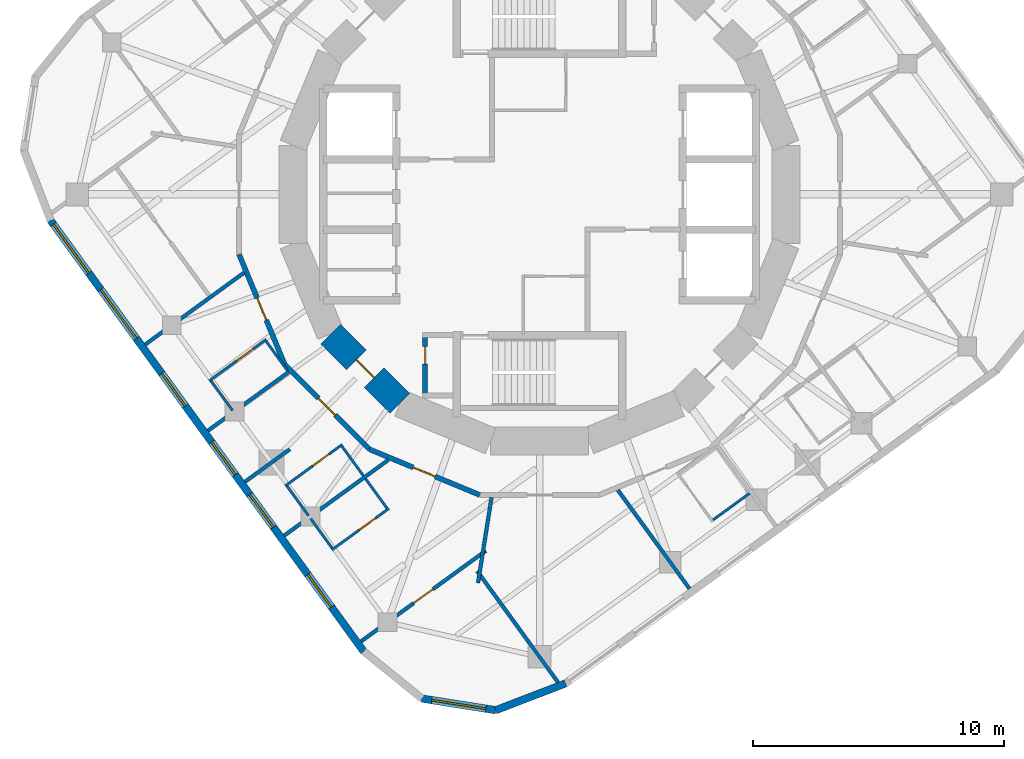
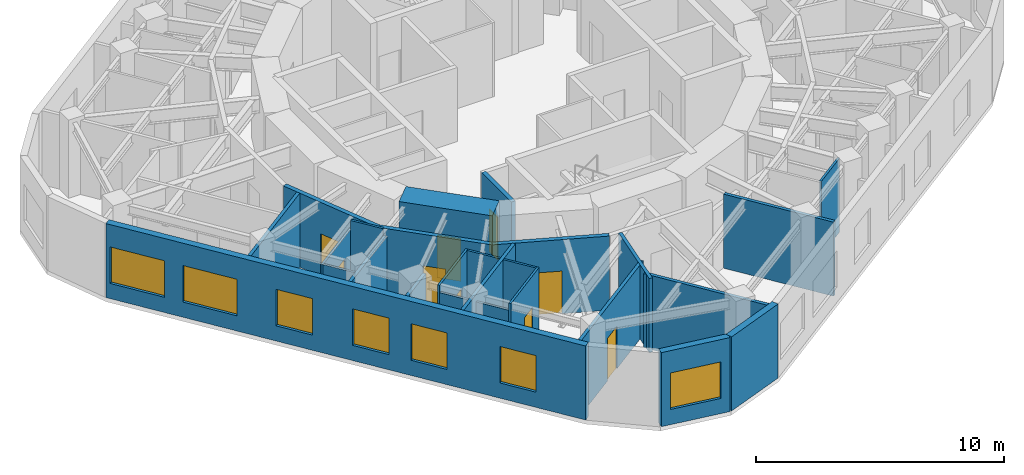
# One storey, part 3 of 9: 26 walls, 9 doors, 7 windows, 16 openings.
"""IFC4 building model written with IfcOpenShell, lengths in metres."""

from ifc_helpers import new_model, si_unit, direction, frame, frame_2d, origin, place, context, subcontext, project, spatial, rectangle, extrude, material, layer, layer_set, type_object, element, fill, save


model = new_model("IFC4")

# Units and contexts
model_context = context("Model", 3, precision=1e-05, world=origin(), true_north=direction((0.0, 1.0)))
body_context = subcontext(model_context, "Body", "Model", "MODEL_VIEW")
ifc_project = project(units=[si_unit("LENGTHUNIT", "METRE"), si_unit("AREAUNIT", "SQUARE_METRE"), si_unit("VOLUMEUNIT", "CUBIC_METRE"), si_unit("PLANEANGLEUNIT", "RADIAN"), si_unit("MASSUNIT", "GRAM", prefix="KILO")], contexts=[model_context])

# Site, building, storey
site_placement = place(None, origin())
site = spatial("IfcSite", under=ifc_project, at=site_placement, CompositionType="ELEMENT")
building_placement = place(site_placement, origin())
building = spatial("IfcBuilding", under=site, at=building_placement, Name="Nakasero Lantern House", CompositionType="ELEMENT")
storey_placement = place(building_placement, frame((0.0, 0.0, 286.85009765625)))
storey = spatial("IfcBuildingStorey", under=building, at=storey_placement, Name="L70", CompositionType="ELEMENT", Elevation=286.85009765625)

# Wall, opening, door
ifc_material_1 = material(Name="Concrete C50/60", Category="concrete")
ifc_layer_1 = layer(ifc_material_1, 1.10009765625)
ifc_layer_set_1 = layer_set([ifc_layer_1], Name="Core wall 1100")
wall_type_1 = type_object("IfcWallType", Name="Core wall 1100", PredefinedType="SHEAR", material=ifc_layer_set_1)
wall_1_placement = place(storey_placement, frame((-8.314697265625, -5.5556640625, 0.0), z_axis=(0.0, 0.0, 1.0), x_axis=(0.707106781187, -0.707106781187, 0.0)))
wall_1 = element("IfcWall", 1, at=wall_1_placement, inside=storey, type_object=wall_type_1, Name="Core wall L70 facet 10", PredefinedType="SHEAR", context=body_context, shape_type="SweptSolid", body=[
    extrude(rectangle(XDim=3.90185546875, YDim=1.10009765625, at=frame_2d((1.950927734375, 0.0))), origin(), (0.0, 0.0, 1.0), 3.849853515625),
])
opening_1_placement = place(wall_1_placement, frame((1.450927734375, 0.0, 0.0)))
opening_1 = element("IfcOpeningElement", 2, at=opening_1_placement, cuts=wall_1, Name="Opening D05", PredefinedType="OPENING", context=body_context, shape_type="SweptSolid", body=[
    extrude(rectangle(XDim=1.0, YDim=2.10009765625, at=frame_2d((0.5, 1.050048828125))), frame((0.0, 0.570068359375, 0.0), z_axis=(0.0, -1.0, 0.0), x_axis=(1.0, 0.0, 0.0)), (0.0, 0.0, 1.0), 1.14013671875),
])
ifc_material_2 = material(Name="Timber C24", Category="wood")
door_type_1 = type_object("IfcDoorType", Name="Core door FD60S 1000", OperationType="SINGLE_SWING_LEFT", PredefinedType="DOOR", material=ifc_material_2)
door_1_placement = place(opening_1_placement, origin())
door_1 = element("IfcDoor", 3, at=door_1_placement, inside=storey, type_object=door_type_1, Name="Door L70 D-CORE10", OperationType="SINGLE_SWING_LEFT", OverallHeight=2.10009765625, OverallWidth=1.0, PredefinedType="DOOR", context=body_context, shape_type="SweptSolid", body=[
    extrude(rectangle(XDim=1.0, YDim=2.10009765625, at=frame_2d((0.5, 1.050048828125))), frame((0.0, 0.02490234375, 0.0), z_axis=(0.0, -1.0, 0.0), x_axis=(1.0, 0.0, 0.0)), (0.0, 0.0, 1.0), 0.050048828125),
])
fill(opening_1, door_1)

ifc_material_3 = material(Name="Blockwork", Category="masonry")
ifc_layer_2 = layer(ifc_material_3, 0.199951171875)
ifc_layer_set_2 = layer_set([ifc_layer_2], Name="Corridor wall 200")
wall_type_2 = type_object("IfcWallType", Name="Corridor wall 200", PredefinedType="PARTITIONING", material=ifc_layer_set_2)
wall_2_placement = place(storey_placement, frame((-2.378662109375, -11.957763671875, 0.0), z_axis=(0.0, 0.0, 1.0), x_axis=(-0.923891735412, 0.382653970627, 0.0)))
wall_2 = element("IfcWall", 4, at=wall_2_placement, inside=storey, type_object=wall_type_2, Name="Corridor wall L70 RC05a", PredefinedType="PARTITIONING", context=body_context, shape_type="SweptSolid", body=[
    extrude(rectangle(XDim=4.757080078125, YDim=0.199951171875, at=frame_2d((2.37841796875, 0.0))), origin(), (0.0, 0.0, 1.0), 3.64990234375),
])
opening_2_placement = place(wall_2_placement, frame((1.919921875, 0.0, 0.0)))
opening_2 = element("IfcOpeningElement", 5, at=opening_2_placement, cuts=wall_2, Name="Opening D01", PredefinedType="OPENING", context=body_context, shape_type="SweptSolid", body=[
    extrude(rectangle(XDim=0.949951171875, YDim=2.10009765625, at=frame_2d((0.47509765625, 1.050048828125))), frame((0.0, 0.119873046875, 0.0), z_axis=(0.0, -1.0, 0.0), x_axis=(1.0, 0.0, 0.0)), (0.0, 0.0, 1.0), 0.239990234375),
])
ifc_material_4 = material(Name="Timber C24", Category="wood")
door_type_2 = type_object("IfcDoorType", Name="Bedroom door FD30S 950", OperationType="SINGLE_SWING_LEFT", PredefinedType="DOOR", material=ifc_material_4)
door_2_placement = place(opening_2_placement, origin())
door_2 = element("IfcDoor", 6, at=door_2_placement, inside=storey, type_object=door_type_2, Name="Door L70 D2-06", OperationType="SINGLE_SWING_RIGHT", OverallHeight=2.10009765625, OverallWidth=0.949951171875, PredefinedType="DOOR", context=body_context, shape_type="SweptSolid", body=[
    extrude(rectangle(XDim=0.949951171875, YDim=2.10009765625, at=frame_2d((0.47509765625, 1.050048828125))), frame((0.0, 0.02490234375, 0.0), z_axis=(0.0, -1.0, 0.0), x_axis=(1.0, 0.0, 0.0)), (0.0, 0.0, 1.0), 0.050048828125),
])
fill(opening_2, door_2)

wall_3_placement = place(storey_placement, frame((-6.773681640625, -10.137451171875, 0.0), z_axis=(0.0, 0.0, 1.0), x_axis=(-0.707106781187, 0.707106781187, 0.0)))
wall_3 = element("IfcWall", 7, at=wall_3_placement, inside=storey, type_object=wall_type_2, Name="Corridor wall L70 RC06a", PredefinedType="PARTITIONING", context=body_context, shape_type="SweptSolid", body=[
    extrude(rectangle(XDim=4.757080078125, YDim=0.199951171875, at=frame_2d((2.37841796875, 0.0))), origin(), (0.0, 0.0, 1.0), 3.64990234375),
])
opening_3_placement = place(wall_3_placement, frame((1.919921875, 0.0, 0.0)))
opening_3 = element("IfcOpeningElement", 8, at=opening_3_placement, cuts=wall_3, Name="Opening D01", PredefinedType="OPENING", context=body_context, shape_type="SweptSolid", body=[
    extrude(rectangle(XDim=0.949951171875, YDim=2.10009765625, at=frame_2d((0.47509765625, 1.050048828125))), frame((0.0, 0.119873046875, 0.0), z_axis=(0.0, -1.0, 0.0), x_axis=(1.0, 0.0, 0.0)), (0.0, 0.0, 1.0), 0.239990234375),
])
door_3_placement = place(opening_3_placement, origin())
door_3 = element("IfcDoor", 9, at=door_3_placement, inside=storey, type_object=door_type_2, Name="Door L70 D2-04", OperationType="SINGLE_SWING_RIGHT", OverallHeight=2.10009765625, OverallWidth=0.949951171875, PredefinedType="DOOR", context=body_context, shape_type="SweptSolid", body=[
    extrude(rectangle(XDim=0.949951171875, YDim=2.10009765625, at=frame_2d((0.47509765625, 1.050048828125))), frame((0.0, 0.02490234375, 0.0), z_axis=(0.0, -1.0, 0.0), x_axis=(1.0, 0.0, 0.0)), (0.0, 0.0, 1.0), 0.050048828125),
])
fill(opening_3, door_3)

wall_4_placement = place(storey_placement, frame((-10.137451171875, -6.773681640625, 0.0), z_axis=(0.0, 0.0, 1.0), x_axis=(-0.382653970627, 0.923891735412, 0.0)))
wall_4 = element("IfcWall", 10, at=wall_4_placement, inside=storey, type_object=wall_type_2, Name="Corridor wall L70 RC07a", PredefinedType="PARTITIONING", context=body_context, shape_type="SweptSolid", body=[
    extrude(rectangle(XDim=4.757080078125, YDim=0.199951171875, at=frame_2d((2.37841796875, 0.0))), origin(), (0.0, 0.0, 1.0), 3.64990234375),
])
opening_4_placement = place(wall_4_placement, frame((1.919921875, 0.0, 0.0)))
opening_4 = element("IfcOpeningElement", 11, at=opening_4_placement, cuts=wall_4, Name="Opening D01", PredefinedType="OPENING", context=body_context, shape_type="SweptSolid", body=[
    extrude(rectangle(XDim=0.949951171875, YDim=2.10009765625, at=frame_2d((0.47509765625, 1.050048828125))), frame((0.0, 0.119873046875, 0.0), z_axis=(0.0, -1.0, 0.0), x_axis=(1.0, 0.0, 0.0)), (0.0, 0.0, 1.0), 0.239990234375),
])
door_4_placement = place(opening_4_placement, origin())
door_4 = element("IfcDoor", 12, at=door_4_placement, inside=storey, type_object=door_type_2, Name="Door L70 D2-03", OperationType="SINGLE_SWING_RIGHT", OverallHeight=2.10009765625, OverallWidth=0.949951171875, PredefinedType="DOOR", context=body_context, shape_type="SweptSolid", body=[
    extrude(rectangle(XDim=0.949951171875, YDim=2.10009765625, at=frame_2d((0.47509765625, 1.050048828125))), frame((0.0, 0.02490234375, 0.0), z_axis=(0.0, -1.0, 0.0), x_axis=(1.0, 0.0, 0.0)), (0.0, 0.0, 1.0), 0.050048828125),
])
fill(opening_4, door_4)

ifc_material_5 = material(Name="Blockwork", Category="masonry")
ifc_layer_3 = layer(ifc_material_5, 0.10009765625)
ifc_layer_set_3 = layer_set([ifc_layer_3], Name="En-suite wall 100")
wall_type_3 = type_object("IfcWallType", Name="En-suite wall 100", PredefinedType="PARTITIONING", material=ifc_layer_set_3)
wall_5_placement = place(storey_placement, frame((-10.872314453125, -5.76513671875, 0.0), z_axis=(0.0, 0.0, 1.0), x_axis=(-0.809041377956, -0.587751689708, 0.0)))
wall_5 = element("IfcWall", 13, at=wall_5_placement, inside=storey, type_object=wall_type_3, Name="En-suite wall L70 ES2-03", PredefinedType="PARTITIONING", context=body_context, shape_type="SweptSolid", body=[
    extrude(rectangle(XDim=2.800048828125, YDim=0.10009765625, at=frame_2d((1.39990234375, 0.0))), origin(), (0.0, 0.0, 1.0), 3.18994140625),
])
opening_5_placement = place(wall_5_placement, frame((0.64990234375, 0.0, 0.0)))
opening_5 = element("IfcOpeningElement", 14, at=opening_5_placement, cuts=wall_5, Name="Opening D02", PredefinedType="OPENING", context=body_context, shape_type="SweptSolid", body=[
    extrude(rectangle(XDim=0.800048828125, YDim=2.10009765625, at=frame_2d((0.39990234375, 1.050048828125))), frame((0.0, 0.070068359375, 0.0), z_axis=(0.0, -1.0, 0.0), x_axis=(1.0, 0.0, 0.0)), (0.0, 0.0, 1.0), 0.14013671875),
])
ifc_material_6 = material(Name="Timber C24", Category="wood")
door_type_3 = type_object("IfcDoorType", Name="En-suite door 800", OperationType="SINGLE_SWING_RIGHT", PredefinedType="DOOR", material=ifc_material_6)
door_5_placement = place(opening_5_placement, origin())
door_5 = element("IfcDoor", 15, at=door_5_placement, inside=storey, type_object=door_type_3, Name="Door L70 DE2-03", OperationType="SINGLE_SWING_LEFT", OverallHeight=2.10009765625, OverallWidth=0.800048828125, PredefinedType="DOOR", context=body_context, shape_type="SweptSolid", body=[
    extrude(rectangle(XDim=0.800048828125, YDim=2.10009765625, at=frame_2d((0.39990234375, 1.050048828125))), frame((0.0, 0.02490234375, 0.0), z_axis=(0.0, -1.0, 0.0), x_axis=(1.0, 0.0, 0.0)), (0.0, 0.0, 1.0), 0.050048828125),
])
fill(opening_5, door_5)

# Walls
wall_6_placement = place(storey_placement, frame((-13.06787109375, -7.421875, 0.0), z_axis=(0.0, 0.0, 1.0), x_axis=(0.587781191743, -0.809019944521, 0.0)))
element("IfcWall", 16, at=wall_6_placement, inside=storey, type_object=wall_type_3, Name="En-suite wall L70 EE2-03", PredefinedType="PARTITIONING", context=body_context, shape_type="SweptSolid", body=[
    extrude(rectangle(XDim=1.449951171875, YDim=0.10009765625, at=frame_2d((0.72509765625, 0.0))), origin(), (0.0, 0.0, 1.0), 3.196533203125),
])
wall_7_placement = place(storey_placement, frame((-10.883544921875, -5.8349609375, 0.0), z_axis=(0.0, 0.0, 1.0), x_axis=(0.587781191743, -0.809019944521, 0.0)))
element("IfcWall", 17, at=wall_7_placement, inside=storey, type_object=wall_type_3, Name="En-suite wall L70 EI2-03", PredefinedType="PARTITIONING", context=body_context, shape_type="SweptSolid", body=[
    extrude(rectangle(XDim=1.449951171875, YDim=0.10009765625, at=frame_2d((0.72509765625, 0.0))), origin(), (0.0, 0.0, 1.0), 3.64990234375),
])

# Wall, opening, door
wall_8_placement = place(storey_placement, frame((-7.851318359375, -9.949462890625, 0.0), z_axis=(0.0, 0.0, 1.0), x_axis=(-0.809011254605, -0.587793152327, 0.0)))
wall_8 = element("IfcWall", 18, at=wall_8_placement, inside=storey, type_object=wall_type_3, Name="En-suite wall L70 ES2-04", PredefinedType="PARTITIONING", context=body_context, shape_type="SweptSolid", body=[
    extrude(rectangle(XDim=2.7998046875, YDim=0.10009765625, at=frame_2d((1.39990234375, 0.0))), origin(), (0.0, 0.0, 1.0), 3.64990234375),
])
opening_6_placement = place(wall_8_placement, frame((0.64990234375, 0.0, 0.0)))
opening_6 = element("IfcOpeningElement", 19, at=opening_6_placement, cuts=wall_8, Name="Opening D02", PredefinedType="OPENING", context=body_context, shape_type="SweptSolid", body=[
    extrude(rectangle(XDim=0.800048828125, YDim=2.10009765625, at=frame_2d((0.39990234375, 1.050048828125))), frame((0.0, 0.070068359375, 0.0), z_axis=(0.0, -1.0, 0.0), x_axis=(1.0, 0.0, 0.0)), (0.0, 0.0, 1.0), 0.14013671875),
])
door_6_placement = place(opening_6_placement, origin())
door_6 = element("IfcDoor", 20, at=door_6_placement, inside=storey, type_object=door_type_3, Name="Door L70 DE2-04", OperationType="SINGLE_SWING_LEFT", OverallHeight=2.10009765625, OverallWidth=0.800048828125, PredefinedType="DOOR", context=body_context, shape_type="SweptSolid", body=[
    extrude(rectangle(XDim=0.800048828125, YDim=2.10009765625, at=frame_2d((0.39990234375, 1.050048828125))), frame((0.0, 0.02490234375, 0.0), z_axis=(0.0, -1.0, 0.0), x_axis=(1.0, 0.0, 0.0)), (0.0, 0.0, 1.0), 0.050048828125),
])
fill(opening_6, door_6)

# Walls
wall_9_placement = place(storey_placement, frame((-10.046630859375, -11.6064453125, 0.0), z_axis=(0.0, 0.0, 1.0), x_axis=(0.587781191743, -0.809019944521, 0.0)))
element("IfcWall", 21, at=wall_9_placement, inside=storey, type_object=wall_type_3, Name="En-suite wall L70 EE2-04", PredefinedType="PARTITIONING", context=body_context, shape_type="SweptSolid", body=[
    extrude(rectangle(XDim=1.449951171875, YDim=0.10009765625, at=frame_2d((0.72509765625, 0.0))), origin(), (0.0, 0.0, 1.0), 3.294921875),
])
wall_10_placement = place(storey_placement, frame((-7.8623046875, -10.019287109375, 0.0), z_axis=(0.0, 0.0, 1.0), x_axis=(0.587781191743, -0.809019944521, 0.0)))
element("IfcWall", 22, at=wall_10_placement, inside=storey, type_object=wall_type_3, Name="En-suite wall L70 EI2-04", PredefinedType="PARTITIONING", context=body_context, shape_type="SweptSolid", body=[
    extrude(rectangle(XDim=1.449951171875, YDim=0.10009765625, at=frame_2d((0.72509765625, 0.0))), origin(), (0.0, 0.0, 1.0), 3.64990234375),
])

# Wall, opening, door
wall_11_placement = place(storey_placement, frame((-5.999755859375, -12.498046875, 0.0), z_axis=(0.0, 0.0, 1.0), x_axis=(-0.809011254605, -0.587793152327, 0.0)))
wall_11 = element("IfcWall", 23, at=wall_11_placement, inside=storey, type_object=wall_type_3, Name="En-suite wall L70 ES2-06", PredefinedType="PARTITIONING", context=body_context, shape_type="SweptSolid", body=[
    extrude(rectangle(XDim=2.7998046875, YDim=0.10009765625, at=frame_2d((1.39990234375, 0.0))), origin(), (0.0, 0.0, 1.0), 3.64990234375),
])
opening_7_placement = place(wall_11_placement, frame((0.64990234375, 0.0, 0.0)))
opening_7 = element("IfcOpeningElement", 24, at=opening_7_placement, cuts=wall_11, Name="Opening D02", PredefinedType="OPENING", context=body_context, shape_type="SweptSolid", body=[
    extrude(rectangle(XDim=0.800048828125, YDim=2.10009765625, at=frame_2d((0.39990234375, 1.050048828125))), frame((0.0, 0.070068359375, 0.0), z_axis=(0.0, -1.0, 0.0), x_axis=(1.0, 0.0, 0.0)), (0.0, 0.0, 1.0), 0.14013671875),
])
door_7_placement = place(opening_7_placement, origin())
door_7 = element("IfcDoor", 25, at=door_7_placement, inside=storey, type_object=door_type_3, Name="Door L70 DE2-06", OperationType="SINGLE_SWING_LEFT", OverallHeight=2.10009765625, OverallWidth=0.800048828125, PredefinedType="DOOR", context=body_context, shape_type="SweptSolid", body=[
    extrude(rectangle(XDim=0.800048828125, YDim=2.10009765625, at=frame_2d((0.39990234375, 1.050048828125))), frame((0.0, 0.02490234375, 0.0), z_axis=(0.0, -1.0, 0.0), x_axis=(1.0, 0.0, 0.0)), (0.0, 0.0, 1.0), 0.050048828125),
])
fill(opening_7, door_7)

# Walls
wall_12_placement = place(storey_placement, frame((-9.106201171875, -12.90087890625, 0.0), z_axis=(0.0, 0.0, 1.0), x_axis=(0.587781191743, -0.809019944521, 0.0)))
element("IfcWall", 26, at=wall_12_placement, inside=storey, type_object=wall_type_3, Name="En-suite wall L70 EE2-06", PredefinedType="PARTITIONING", context=body_context, shape_type="SweptSolid", body=[
    extrude(rectangle(XDim=1.449951171875, YDim=0.10009765625, at=frame_2d((0.72509765625, 0.0))), origin(), (0.0, 0.0, 1.0), 3.294921875),
])
wall_13_placement = place(storey_placement, frame((-6.921875, -11.313720703125, 0.0), z_axis=(0.0, 0.0, 1.0), x_axis=(0.587781191743, -0.809019944521, 0.0)))
element("IfcWall", 27, at=wall_13_placement, inside=storey, type_object=wall_type_3, Name="En-suite wall L70 EI2-06", PredefinedType="PARTITIONING", context=body_context, shape_type="SweptSolid", body=[
    extrude(rectangle(XDim=1.449951171875, YDim=0.10009765625, at=frame_2d((0.72509765625, 0.0))), origin(), (0.0, 0.0, 1.0), 3.64990234375),
])
wall_14_placement = place(storey_placement, frame((6.903564453125, -12.949951171875, 0.0), z_axis=(0.0, 0.0, 1.0), x_axis=(0.809005783898, 0.58780068188, 0.0)))
element("IfcWall", 28, at=wall_14_placement, inside=storey, type_object=wall_type_3, Name="En-suite wall L70 EE3-03", PredefinedType="PARTITIONING", context=body_context, shape_type="SweptSolid", body=[
    extrude(rectangle(XDim=1.800048828125, YDim=0.10009765625, at=frame_2d((0.89990234375, 0.0))), origin(), (0.0, 0.0, 1.0), 3.64990234375),
])

# Wall, openings, windows
ifc_material_7 = material(Name="Aluminium rainscreen on blockwork", Category="masonry")
ifc_layer_4 = layer(ifc_material_7, 0.300048828125)
ifc_layer_set_4 = layer_set([ifc_layer_4], Name="Facade wall 300")
wall_type_4 = type_object("IfcWallType", Name="Facade wall 300", PredefinedType="SOLIDWALL", material=ifc_layer_set_4)
wall_15_placement = place(storey_placement, frame((-19.4580078125, -1.03466796875, 0.0), z_axis=(0.0, 0.0, 1.0), x_axis=(0.587790233451, -0.809013375328, 0.0)))
wall_15 = element("IfcWall", 29, at=wall_15_placement, inside=storey, type_object=wall_type_4, Name="Facade wall L70 FW2S", PredefinedType="SOLIDWALL", context=body_context, shape_type="SweptSolid", body=[
    extrude(rectangle(XDim=21.199951171875, YDim=0.300048828125, at=frame_2d((10.60009765625, 0.0))), origin(), (0.0, 0.0, 1.0), 3.64990234375),
])
opening_8_placement = place(wall_15_placement, frame((7.52783203125, 0.0, 0.75)))
opening_8 = element("IfcOpeningElement", 30, at=opening_8_placement, cuts=wall_15, Name="Opening W01", PredefinedType="OPENING", context=body_context, shape_type="SweptSolid", body=[
    extrude(rectangle(XDim=1.60009765625, YDim=1.800048828125, at=frame_2d((0.800048828125, 0.89990234375))), frame((0.0, 0.169921875, 0.0), z_axis=(0.0, -1.0, 0.0), x_axis=(1.0, 0.0, 0.0)), (0.0, 0.0, 1.0), 0.340087890625),
])
opening_9_placement = place(wall_15_placement, frame((10.904052734375, 0.0, 0.75)))
opening_9 = element("IfcOpeningElement", 31, at=opening_9_placement, cuts=wall_15, Name="Opening W01", PredefinedType="OPENING", context=body_context, shape_type="SweptSolid", body=[
    extrude(rectangle(XDim=1.60009765625, YDim=1.800048828125, at=frame_2d((0.800048828125, 0.89990234375))), frame((0.0, 0.169921875, 0.0), z_axis=(0.0, -1.0, 0.0), x_axis=(1.0, 0.0, 0.0)), (0.0, 0.0, 1.0), 0.340087890625),
])
opening_10_placement = place(wall_15_placement, frame((13.484619140625, 0.0, 0.75)))
opening_10 = element("IfcOpeningElement", 32, at=opening_10_placement, cuts=wall_15, Name="Opening W01", PredefinedType="OPENING", context=body_context, shape_type="SweptSolid", body=[
    extrude(rectangle(XDim=1.60009765625, YDim=1.800048828125, at=frame_2d((0.800048828125, 0.89990234375))), frame((0.0, 0.169921875, 0.0), z_axis=(0.0, -1.0, 0.0), x_axis=(1.0, 0.0, 0.0)), (0.0, 0.0, 1.0), 0.340087890625),
])
opening_11_placement = place(wall_15_placement, frame((17.410888671875, 0.0, 0.75)))
opening_11 = element("IfcOpeningElement", 33, at=opening_11_placement, cuts=wall_15, Name="Opening W01", PredefinedType="OPENING", context=body_context, shape_type="SweptSolid", body=[
    extrude(rectangle(XDim=1.60009765625, YDim=1.800048828125, at=frame_2d((0.800048828125, 0.89990234375))), frame((0.0, 0.169921875, 0.0), z_axis=(0.0, -1.0, 0.0), x_axis=(1.0, 0.0, 0.0)), (0.0, 0.0, 1.0), 0.340087890625),
])
opening_12_placement = place(wall_15_placement, frame((0.1904296875, 0.0, 0.75)))
opening_12 = element("IfcOpeningElement", 34, at=opening_12_placement, cuts=wall_15, Name="Opening W03", PredefinedType="OPENING", context=body_context, shape_type="SweptSolid", body=[
    extrude(rectangle(XDim=2.39990234375, YDim=1.800048828125, at=frame_2d((1.199951171875, 0.89990234375))), frame((0.0, 0.169921875, 0.0), z_axis=(0.0, -1.0, 0.0), x_axis=(1.0, 0.0, 0.0)), (0.0, 0.0, 1.0), 0.340087890625),
])
opening_13_placement = place(wall_15_placement, frame((3.401611328125, 0.0, 0.75)))
opening_13 = element("IfcOpeningElement", 35, at=opening_13_placement, cuts=wall_15, Name="Opening W03", PredefinedType="OPENING", context=body_context, shape_type="SweptSolid", body=[
    extrude(rectangle(XDim=2.39990234375, YDim=1.800048828125, at=frame_2d((1.199951171875, 0.89990234375))), frame((0.0, 0.169921875, 0.0), z_axis=(0.0, -1.0, 0.0), x_axis=(1.0, 0.0, 0.0)), (0.0, 0.0, 1.0), 0.340087890625),
])
ifc_material_8 = material(Name="Aluminium 6063-T6 and glass", Category="aluminium")
window_type_1 = type_object("IfcWindowType", Name="Bedroom window 1600x1800", PartitioningType="SINGLE_PANEL", PredefinedType="WINDOW", material=ifc_material_8)
window_1_placement = place(opening_8_placement, origin())
window_1 = element("IfcWindow", 36, at=window_1_placement, inside=storey, type_object=window_type_1, Name="Window L70 WN2-03", OverallHeight=1.800048828125, OverallWidth=1.60009765625, PartitioningType="SINGLE_PANEL", PredefinedType="WINDOW", context=body_context, shape_type="SweptSolid", body=[
    extrude(rectangle(XDim=1.60009765625, YDim=1.800048828125, at=frame_2d((0.800048828125, 0.89990234375))), frame((0.0, 0.030029296875, 0.0), z_axis=(0.0, -1.0, 0.0), x_axis=(1.0, 0.0, 0.0)), (0.0, 0.0, 1.0), 0.06005859375),
])
fill(opening_8, window_1)
window_2_placement = place(opening_9_placement, origin())
window_2 = element("IfcWindow", 37, at=window_2_placement, inside=storey, type_object=window_type_1, Name="Window L70 WN2-04", OverallHeight=1.800048828125, OverallWidth=1.60009765625, PartitioningType="SINGLE_PANEL", PredefinedType="WINDOW", context=body_context, shape_type="SweptSolid", body=[
    extrude(rectangle(XDim=1.60009765625, YDim=1.800048828125, at=frame_2d((0.800048828125, 0.89990234375))), frame((0.0, 0.030029296875, 0.0), z_axis=(0.0, -1.0, 0.0), x_axis=(1.0, 0.0, 0.0)), (0.0, 0.0, 1.0), 0.06005859375),
])
fill(opening_9, window_2)
window_3_placement = place(opening_10_placement, origin())
window_3 = element("IfcWindow", 38, at=window_3_placement, inside=storey, type_object=window_type_1, Name="Window L70 WN2-05", OverallHeight=1.800048828125, OverallWidth=1.60009765625, PartitioningType="SINGLE_PANEL", PredefinedType="WINDOW", context=body_context, shape_type="SweptSolid", body=[
    extrude(rectangle(XDim=1.60009765625, YDim=1.800048828125, at=frame_2d((0.800048828125, 0.89990234375))), frame((0.0, 0.030029296875, 0.0), z_axis=(0.0, -1.0, 0.0), x_axis=(1.0, 0.0, 0.0)), (0.0, 0.0, 1.0), 0.06005859375),
])
fill(opening_10, window_3)
window_4_placement = place(opening_11_placement, origin())
window_4 = element("IfcWindow", 39, at=window_4_placement, inside=storey, type_object=window_type_1, Name="Window L70 WN2-06", OverallHeight=1.800048828125, OverallWidth=1.60009765625, PartitioningType="SINGLE_PANEL", PredefinedType="WINDOW", context=body_context, shape_type="SweptSolid", body=[
    extrude(rectangle(XDim=1.60009765625, YDim=1.800048828125, at=frame_2d((0.800048828125, 0.89990234375))), frame((0.0, 0.030029296875, 0.0), z_axis=(0.0, -1.0, 0.0), x_axis=(1.0, 0.0, 0.0)), (0.0, 0.0, 1.0), 0.06005859375),
])
fill(opening_11, window_4)
ifc_material_9 = material(Name="Aluminium 6063-T6 and glass", Category="aluminium")
window_type_2 = type_object("IfcWindowType", Name="Lounge window 2400x1800", PartitioningType="SINGLE_PANEL", PredefinedType="WINDOW", material=ifc_material_9)
window_5_placement = place(opening_12_placement, origin())
window_5 = element("IfcWindow", 40, at=window_5_placement, inside=storey, type_object=window_type_2, Name="Window L70 WK2", OverallHeight=1.800048828125, OverallWidth=2.39990234375, PartitioningType="SINGLE_PANEL", PredefinedType="WINDOW", context=body_context, shape_type="SweptSolid", body=[
    extrude(rectangle(XDim=2.39990234375, YDim=1.800048828125, at=frame_2d((1.199951171875, 0.89990234375))), frame((0.0, 0.030029296875, 0.0), z_axis=(0.0, -1.0, 0.0), x_axis=(1.0, 0.0, 0.0)), (0.0, 0.0, 1.0), 0.06005859375),
])
fill(opening_12, window_5)
window_6_placement = place(opening_13_placement, origin())
window_6 = element("IfcWindow", 41, at=window_6_placement, inside=storey, type_object=window_type_2, Name="Window L70 WL2", OverallHeight=1.800048828125, OverallWidth=2.39990234375, PartitioningType="SINGLE_PANEL", PredefinedType="WINDOW", context=body_context, shape_type="SweptSolid", body=[
    extrude(rectangle(XDim=2.39990234375, YDim=1.800048828125, at=frame_2d((1.199951171875, 0.89990234375))), frame((0.0, 0.030029296875, 0.0), z_axis=(0.0, -1.0, 0.0), x_axis=(1.0, 0.0, 0.0)), (0.0, 0.0, 1.0), 0.06005859375),
])
fill(opening_13, window_6)

# Wall, opening, window
wall_16_placement = place(storey_placement, frame((-4.683837890625, -20.05908203125, 0.0), z_axis=(0.0, 0.0, 1.0), x_axis=(0.987691704133, -0.156413227021, 0.0)))
wall_16 = element("IfcWall", 42, at=wall_16_placement, inside=storey, type_object=wall_type_4, Name="Facade wall L70 FW2C2", PredefinedType="SOLIDWALL", context=body_context, shape_type="SweptSolid", body=[
    extrude(rectangle(XDim=2.9765625, YDim=0.300048828125, at=frame_2d((1.48828125, 0.0))), origin(), (0.0, 0.0, 1.0), 3.64990234375),
])
opening_14_placement = place(wall_16_placement, frame((0.39990234375, 0.0, 0.75)))
opening_14 = element("IfcOpeningElement", 43, at=opening_14_placement, cuts=wall_16, Name="Opening W221", PredefinedType="OPENING", context=body_context, shape_type="SweptSolid", body=[
    extrude(rectangle(XDim=2.176025390625, YDim=1.800048828125, at=frame_2d((1.087890625, 0.89990234375))), frame((0.0, 0.169921875, 0.0), z_axis=(0.0, -1.0, 0.0), x_axis=(1.0, 0.0, 0.0)), (0.0, 0.0, 1.0), 0.340087890625),
])
ifc_material_10 = material(Name="Aluminium 6063-T6 and glass", Category="aluminium")
window_type_3 = type_object("IfcWindowType", Name="Corner window 2176x1800", PartitioningType="SINGLE_PANEL", PredefinedType="WINDOW", material=ifc_material_10)
window_7_placement = place(opening_14_placement, origin())
window_7 = element("IfcWindow", 44, at=window_7_placement, inside=storey, type_object=window_type_3, Name="Window L70 WC2", OverallHeight=1.800048828125, OverallWidth=2.176025390625, PartitioningType="SINGLE_PANEL", PredefinedType="WINDOW", context=body_context, shape_type="SweptSolid", body=[
    extrude(rectangle(XDim=2.176025390625, YDim=1.800048828125, at=frame_2d((1.087890625, 0.89990234375))), frame((0.0, 0.030029296875, 0.0), z_axis=(0.0, -1.0, 0.0), x_axis=(1.0, 0.0, 0.0)), (0.0, 0.0, 1.0), 0.06005859375),
])
fill(opening_14, window_7)

# Wall
wall_17_placement = place(storey_placement, frame((-1.743896484375, -20.524658203125, 0.0), z_axis=(0.0, 0.0, 1.0), x_axis=(0.933573745966, 0.35838535244, 0.0)))
element("IfcWall", 45, at=wall_17_placement, inside=storey, type_object=wall_type_4, Name="Facade wall L70 FW2C3", PredefinedType="SOLIDWALL", context=body_context, shape_type="SweptSolid", body=[
    extrude(rectangle(XDim=2.976318359375, YDim=0.300048828125, at=frame_2d((1.48828125, 0.0))), origin(), (0.0, 0.0, 1.0), 3.64990234375),
])

# Wall, opening, door
ifc_material_11 = material(Name="Blockwork", Category="masonry")
ifc_layer_5 = layer(ifc_material_11, 0.199951171875)
ifc_layer_set_5 = layer_set([ifc_layer_5], Name="Fire lobby wall 200")
wall_type_5 = type_object("IfcWallType", Name="Fire lobby wall 200", PredefinedType="PARTITIONING", material=ifc_layer_set_5)
wall_18_placement = place(storey_placement, frame((-4.550048828125, -5.60009765625, 0.0), z_axis=(0.0, 0.0, 1.0), x_axis=(0.0, -1.0, 0.0)))
wall_18 = element("IfcWall", 46, at=wall_18_placement, inside=storey, type_object=wall_type_5, Name="Fire lobby wall L70 W-RS2W", PredefinedType="PARTITIONING", context=body_context, shape_type="SweptSolid", body=[
    extrude(rectangle(XDim=2.39990234375, YDim=0.199951171875, at=frame_2d((1.199951171875, 0.0))), origin(), (0.0, 0.0, 1.0), 3.64990234375),
])
opening_15_placement = place(wall_18_placement, frame((0.449951171875, 0.0, 0.0)))
opening_15 = element("IfcOpeningElement", 47, at=opening_15_placement, cuts=wall_18, Name="Opening D06", PredefinedType="OPENING", context=body_context, shape_type="SweptSolid", body=[
    extrude(rectangle(XDim=0.699951171875, YDim=2.10009765625, at=frame_2d((0.35009765625, 1.050048828125))), frame((0.0, 0.119873046875, 0.0), z_axis=(0.0, -1.0, 0.0), x_axis=(1.0, 0.0, 0.0)), (0.0, 0.0, 1.0), 0.239990234375),
])
ifc_material_12 = material(Name="Steel S355", Category="steel")
door_type_4 = type_object("IfcDoorType", Name="Riser door FD60 700", OperationType="SINGLE_SWING_LEFT", PredefinedType="DOOR", material=ifc_material_12)
door_8_placement = place(opening_15_placement, origin())
door_8 = element("IfcDoor", 48, at=door_8_placement, inside=storey, type_object=door_type_4, Name="Door L70 D-RS2", OperationType="SINGLE_SWING_LEFT", OverallHeight=2.10009765625, OverallWidth=0.699951171875, PredefinedType="DOOR", context=body_context, shape_type="SweptSolid", body=[
    extrude(rectangle(XDim=0.699951171875, YDim=2.10009765625, at=frame_2d((0.35009765625, 1.050048828125))), frame((0.0, 0.02490234375, 0.0), z_axis=(0.0, -1.0, 0.0), x_axis=(1.0, 0.0, 0.0)), (0.0, 0.0, 1.0), 0.050048828125),
])
fill(opening_15, door_8)

# Walls
ifc_material_13 = material(Name="Blockwork", Category="masonry")
ifc_layer_6 = layer(ifc_material_13, 0.14990234375)
ifc_layer_set_6 = layer_set([ifc_layer_6], Name="Party wall 150")
wall_type_6 = type_object("IfcWallType", Name="Party wall 150", PredefinedType="PARTITIONING", material=ifc_layer_set_6)
wall_19_placement = place(storey_placement, frame((-9.939208984375, -10.13818359375, 0.0), z_axis=(0.0, 0.0, 1.0), x_axis=(-0.808990345923, -0.587821928992, 0.0)))
element("IfcWall", 49, at=wall_19_placement, inside=storey, type_object=wall_type_6, Name="Party wall L70 PN2-05", PredefinedType="PARTITIONING", context=body_context, shape_type="SweptSolid", body=[
    extrude(rectangle(XDim=2.199951171875, YDim=0.14990234375, at=frame_2d((1.10009765625, 0.0))), origin(), (0.0, 0.0, 1.0), 3.294921875),
])
wall_20_placement = place(storey_placement, frame((-11.760986328125, -3.114990234375, 0.0), z_axis=(0.0, 0.0, 1.0), x_axis=(-0.809020895183, -0.587779883253, 0.0)))
element("IfcWall", 50, at=wall_20_placement, inside=storey, type_object=wall_type_6, Name="Party wall L70 PW2-03", PredefinedType="PARTITIONING", context=body_context, shape_type="SweptSolid", body=[
    extrude(rectangle(XDim=4.854248046875, YDim=0.14990234375, at=frame_2d((2.42724609375, 0.0))), origin(), (0.0, 0.0, 1.0), 3.64990234375),
])
wall_21_placement = place(storey_placement, frame((-9.985107421875, -7.067138671875, 0.0), z_axis=(0.0, 0.0, 1.0), x_axis=(-0.809004739075, -0.587802119896, 0.0)))
element("IfcWall", 51, at=wall_21_placement, inside=storey, type_object=wall_type_6, Name="Party wall L70 PW2-04", PredefinedType="PARTITIONING", context=body_context, shape_type="SweptSolid", body=[
    extrude(rectangle(XDim=3.9677734375, YDim=0.14990234375, at=frame_2d((1.98388671875, 0.0))), origin(), (0.0, 0.0, 1.0), 3.294921875),
])
wall_22_placement = place(storey_placement, frame((-6.012939453125, -10.560791015625, 0.0), z_axis=(0.0, 0.0, 1.0), x_axis=(-0.809020100005, -0.587780977736, 0.0)))
element("IfcWall", 52, at=wall_22_placement, inside=storey, type_object=wall_type_6, Name="Party wall L70 PW2-06", PredefinedType="PARTITIONING", context=body_context, shape_type="SweptSolid", body=[
    extrude(rectangle(XDim=5.1279296875, YDim=0.14990234375, at=frame_2d((2.56396484375, 0.0))), origin(), (0.0, 0.0, 1.0), 3.64990234375),
])

# Wall, opening, door
wall_23_placement = place(storey_placement, frame((-2.137939453125, -14.1767578125, 0.0), z_axis=(0.0, 0.0, 1.0), x_axis=(-0.809024975628, -0.587774266883, 0.0)))
wall_23 = element("IfcWall", 53, at=wall_23_placement, inside=storey, type_object=wall_type_6, Name="Party wall L70 PW2-07", PredefinedType="PARTITIONING", context=body_context, shape_type="SweptSolid", body=[
    extrude(rectangle(XDim=6.137451171875, YDim=0.14990234375, at=frame_2d((3.06884765625, 0.0))), origin(), (0.0, 0.0, 1.0), 3.64990234375),
])
opening_16_placement = place(wall_23_placement, frame((2.60009765625, 0.0, 0.0)))
opening_16 = element("IfcOpeningElement", 54, at=opening_16_placement, cuts=wall_23, Name="Opening D01", PredefinedType="OPENING", context=body_context, shape_type="SweptSolid", body=[
    extrude(rectangle(XDim=0.949951171875, YDim=2.10009765625, at=frame_2d((0.47509765625, 1.050048828125))), frame((0.0, 0.094970703125, 0.0), z_axis=(0.0, -1.0, 0.0), x_axis=(1.0, 0.0, 0.0)), (0.0, 0.0, 1.0), 0.18994140625),
])
door_9_placement = place(opening_16_placement, origin())
door_9 = element("IfcDoor", 55, at=door_9_placement, inside=storey, type_object=door_type_2, Name="Door L70 DC2", OperationType="SINGLE_SWING_RIGHT", OverallHeight=2.10009765625, OverallWidth=0.949951171875, PredefinedType="DOOR", context=body_context, shape_type="SweptSolid", body=[
    extrude(rectangle(XDim=0.949951171875, YDim=2.10009765625, at=frame_2d((0.47509765625, 1.050048828125))), frame((0.0, 0.02490234375, 0.0), z_axis=(0.0, -1.0, 0.0), x_axis=(1.0, 0.0, 0.0)), (0.0, 0.0, 1.0), 0.050048828125),
])
fill(opening_16, door_9)

# Walls
wall_24_placement = place(storey_placement, frame((-1.90966796875, -12.057861328125, 0.0), z_axis=(0.0, 0.0, 1.0), x_axis=(-0.156465405864, -0.987683439553, 0.0)))
element("IfcWall", 56, at=wall_24_placement, inside=storey, type_object=wall_type_6, Name="Party wall L70 PD2", PredefinedType="PARTITIONING", context=body_context, shape_type="SweptSolid", body=[
    extrude(rectangle(XDim=3.440673828125, YDim=0.14990234375, at=frame_2d((1.72021484375, 0.0))), origin(), (0.0, 0.0, 1.0), 3.64990234375),
])
wall_25_placement = place(storey_placement, frame((-2.48095703125, -14.9853515625, 0.0), z_axis=(0.0, 0.0, 1.0), x_axis=(0.587775959987, -0.809023745549, 0.0)))
element("IfcWall", 57, at=wall_25_placement, inside=storey, type_object=wall_type_6, Name="Party wall L70 PW3-01", PredefinedType="PARTITIONING", context=body_context, shape_type="SweptSolid", body=[
    extrude(rectangle(XDim=5.466552734375, YDim=0.14990234375, at=frame_2d((2.7333984375, 0.0))), origin(), (0.0, 0.0, 1.0), 3.64990234375),
])
wall_26_placement = place(storey_placement, frame((3.114990234375, -11.760986328125, 0.0), z_axis=(0.0, 0.0, 1.0), x_axis=(0.587779883253, -0.809020895183, 0.0)))
element("IfcWall", 58, at=wall_26_placement, inside=storey, type_object=wall_type_6, Name="Party wall L70 PW3-03", PredefinedType="PARTITIONING", context=body_context, shape_type="SweptSolid", body=[
    extrude(rectangle(XDim=4.854248046875, YDim=0.14990234375, at=frame_2d((2.42724609375, 0.0))), origin(), (0.0, 0.0, 1.0), 3.64990234375),
])

save(model, "model.ifc")
